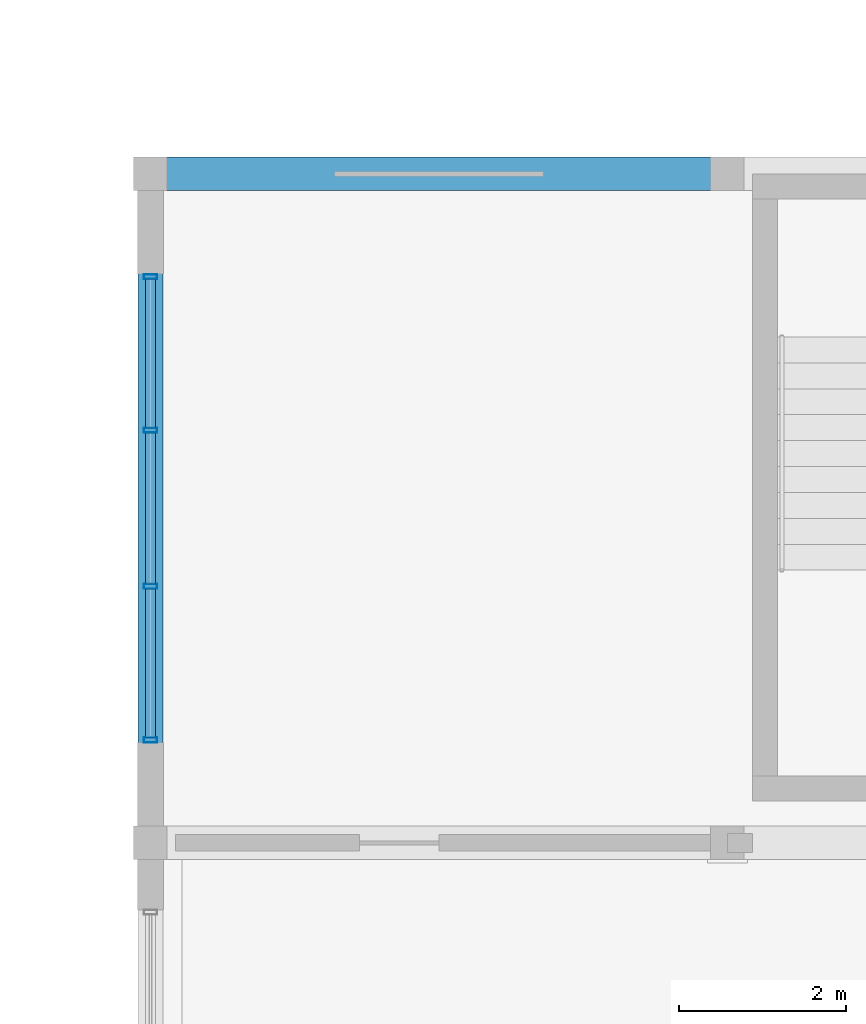
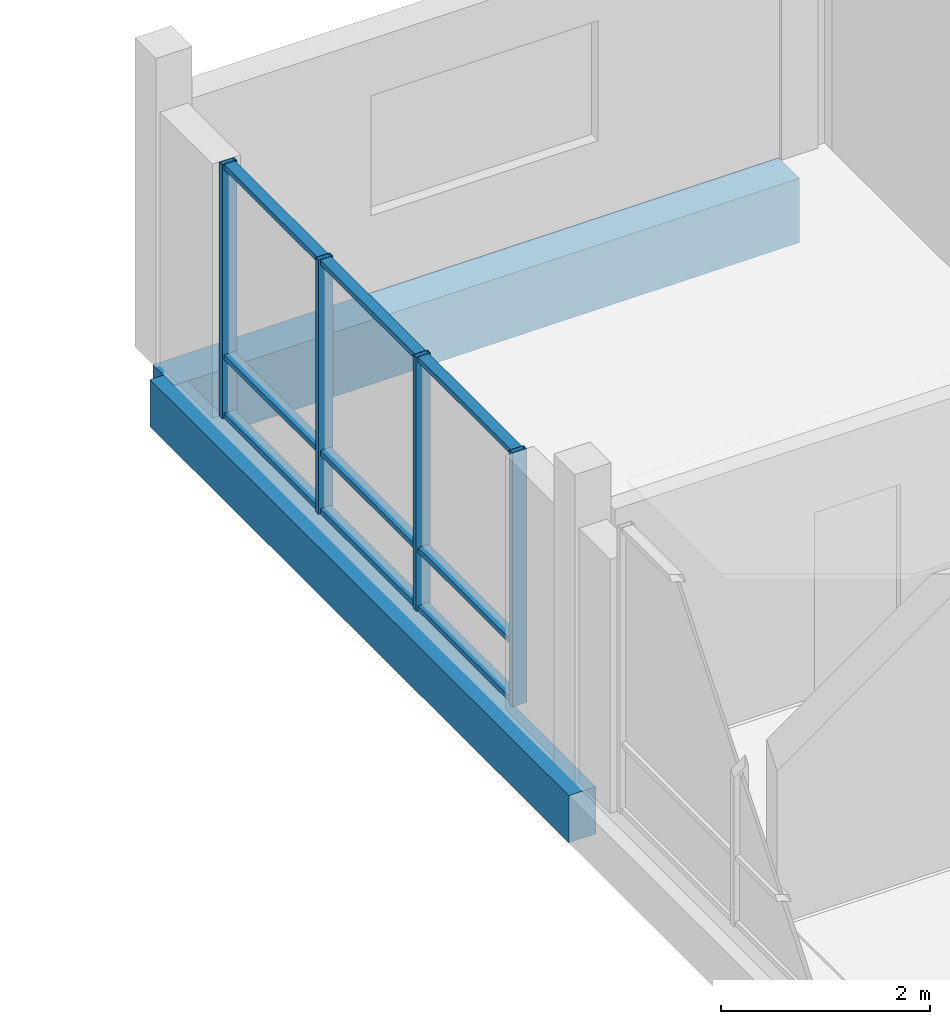
# One storey, part 72 of 189: 13 members, 2 beams, 1 element without a shape of its own.
"""IFC4 building model written with IfcOpenShell, lengths in metres."""

from ifc_helpers import new_model, si_unit, direction, frame, origin, origin_2d, place, context, subcontext, project, spatial, rectangle, hollow_rectangle, extrude, material, material_profile, profile_set, type_object, element, aggregate, save


model = new_model("IFC4")

# Units and contexts
model_context = context("Model", 3, precision=1e-05, world=origin(), true_north=direction((0.0, 1.0)))
body_context = subcontext(model_context, "Body", "Model", "MODEL_VIEW")
ifc_project = project(units=[si_unit("LENGTHUNIT", "METRE"), si_unit("AREAUNIT", "SQUARE_METRE"), si_unit("VOLUMEUNIT", "CUBIC_METRE"), si_unit("PLANEANGLEUNIT", "RADIAN"), si_unit("MASSUNIT", "GRAM", prefix="KILO")], contexts=[model_context])

# Site, building, storey
site_placement = place(None, origin())
site = spatial("IfcSite", under=ifc_project, at=site_placement, CompositionType="ELEMENT")
building_placement = place(site_placement, origin())
building = spatial("IfcBuilding", under=site, at=building_placement, Name="Zavelmont Quarter", CompositionType="ELEMENT")
storey_placement = place(building_placement, frame((0.0, 0.0, 4.39990234375)))
storey = spatial("IfcBuildingStorey", under=building, at=storey_placement, Name="L01", CompositionType="ELEMENT", Elevation=4.39990234375)

# Beams
ifc_material_1 = material(Name="Concrete C35/45", Category="concrete")
ifc_material_profile_1 = material_profile(ifc_material_1, rectangle(XDim=0.300048828125, YDim=0.550048828125, at=origin_2d()), Name="RC300X550")
ifc_profile_set_1 = profile_set([ifc_material_profile_1], Name="Concrete C35/45")
beam_type_1 = type_object("IfcBeamType", Name="BM02", PredefinedType="SPANDREL", material=ifc_profile_set_1)
beam_1_placement = place(storey_placement, frame((0.0, 78.0, -0.554931640625), z_axis=(0.0, 1.0, 0.0), x_axis=(-1.0, 0.0, 0.0)))
element("IfcBeam", 1, at=beam_1_placement, inside=storey, type_object=beam_type_1, Name="L01 beam BM02 1/M to 1/N", PredefinedType="SPANDREL", context=body_context, shape_type="SweptSolid", body=[
    extrude(rectangle(XDim=0.300048828125, YDim=0.550048828125, at=origin_2d()), origin(), (0.0, 0.0, 1.0), 8.0),
])
ifc_material_2 = material(Name="Concrete C40/50", Category="concrete")
ifc_material_profile_2 = material_profile(ifc_material_2, rectangle(XDim=0.39990234375, YDim=0.75, at=origin_2d()), Name="RC400X750")
ifc_profile_set_2 = profile_set([ifc_material_profile_2], Name="Concrete C40/50")
beam_type_2 = type_object("IfcBeamType", Name="BM05", PredefinedType="BEAM", material=ifc_profile_set_2)
beam_2_placement = place(storey_placement, frame((0.0, 86.0, -0.65478515625), z_axis=(1.0, 0.0, 0.0), x_axis=(0.0, 1.0, 0.0)))
element("IfcBeam", 2, at=beam_2_placement, inside=storey, type_object=beam_type_2, Name="L01 beam BM05 1/N to 2/N", PredefinedType="BEAM", context=body_context, shape_type="SweptSolid", body=[
    extrude(rectangle(XDim=0.39990234375, YDim=0.75, at=origin_2d()), origin(), (0.0, 0.0, 1.0), 6.89990234375),
])

# Curtain wall, members
ifc_material_3 = material(Name="Thermally broken aluminium and double low-E safety glazing", Category="aluminium")
curtain_wall_type = type_object("IfcCurtainWallType", Name="CW-560X296", PredefinedType="NOTDEFINED", material=ifc_material_3)
curtain_wall_placement = place(storey_placement, origin())
curtain_wall = element("IfcCurtainWall", 3, at=curtain_wall_placement, inside=storey, type_object=curtain_wall_type, Name="L01 unitised curtain wall CW-560X296", PredefinedType="NOTDEFINED")
ifc_material_4 = material(Name="Powder-coated aluminium EN AW-6063-T6", Category="aluminium")
ifc_material_profile_3 = material_profile(ifc_material_4, hollow_rectangle(XDim=0.06005859375, YDim=0.159912109375, WallThickness=0.00390625, at=origin_2d()), Name="CWM60X160")
ifc_profile_set_3 = profile_set([ifc_material_profile_3], Name="Powder-coated aluminium EN AW-6063-T6")
member_type_1 = type_object("IfcMemberType", Name="CWM01", PredefinedType="MULLION", material=ifc_profile_set_3)
member_1_placement = place(storey_placement, frame((0.0, 79.22998046875, 0.0), z_axis=(0.0, 0.0, 1.0), x_axis=(0.0, 1.0, 0.0)))
member_1 = element("IfcMember", 4, at=member_1_placement, type_object=member_type_1, Name="CW-560X296 mullion 1", PredefinedType="MULLION", context=body_context, shape_type="SweptSolid", body=[
    extrude(hollow_rectangle(XDim=0.06005859375, YDim=0.159912109375, WallThickness=0.00390625, at=origin_2d()), origin(), (0.0, 0.0, 1.0), 2.960205078125),
])
member_2_placement = place(storey_placement, frame((0.0, 81.066650390625, 0.0), z_axis=(0.0, 0.0, 1.0), x_axis=(0.0, 1.0, 0.0)))
member_2 = element("IfcMember", 5, at=member_2_placement, type_object=member_type_1, Name="CW-560X296 mullion 2", PredefinedType="MULLION", context=body_context, shape_type="SweptSolid", body=[
    extrude(hollow_rectangle(XDim=0.06005859375, YDim=0.159912109375, WallThickness=0.00390625, at=origin_2d()), origin(), (0.0, 0.0, 1.0), 2.960205078125),
])
member_3_placement = place(storey_placement, frame((0.0, 82.933349609375, 0.0), z_axis=(0.0, 0.0, 1.0), x_axis=(0.0, 1.0, 0.0)))
member_3 = element("IfcMember", 6, at=member_3_placement, type_object=member_type_1, Name="CW-560X296 mullion 3", PredefinedType="MULLION", context=body_context, shape_type="SweptSolid", body=[
    extrude(hollow_rectangle(XDim=0.06005859375, YDim=0.159912109375, WallThickness=0.00390625, at=origin_2d()), origin(), (0.0, 0.0, 1.0), 2.960205078125),
])
member_4_placement = place(storey_placement, frame((0.0, 84.77001953125, 0.0), z_axis=(0.0, 0.0, 1.0), x_axis=(0.0, 1.0, 0.0)))
member_4 = element("IfcMember", 7, at=member_4_placement, type_object=member_type_1, Name="CW-560X296 mullion 4", PredefinedType="MULLION", context=body_context, shape_type="SweptSolid", body=[
    extrude(hollow_rectangle(XDim=0.06005859375, YDim=0.159912109375, WallThickness=0.00390625, at=origin_2d()), origin(), (0.0, 0.0, 1.0), 2.960205078125),
])
ifc_material_profile_4 = material_profile(ifc_material_4, hollow_rectangle(XDim=0.1201171875, YDim=0.06005859375, WallThickness=0.00390625, at=origin_2d()), Name="CWT60X120")
ifc_profile_set_4 = profile_set([ifc_material_profile_4], Name="Powder-coated aluminium EN AW-6063-T6")
member_type_2 = type_object("IfcMemberType", Name="CWT01", PredefinedType="NOTDEFINED", material=ifc_profile_set_4)
member_5_placement = place(storey_placement, frame((0.0, 79.260009765625, 0.030029296875), z_axis=(0.0, 1.0, 0.0), x_axis=(-1.0, 0.0, 0.0)))
member_5 = element("IfcMember", 8, at=member_5_placement, type_object=member_type_2, Name="CW-560X296 transom 1.1", ObjectType="TRANSOM", PredefinedType="USERDEFINED", context=body_context, shape_type="SweptSolid", body=[
    extrude(hollow_rectangle(XDim=0.1201171875, YDim=0.06005859375, WallThickness=0.00390625, at=origin_2d()), origin(), (0.0, 0.0, 1.0), 1.776611328125),
])
member_6_placement = place(storey_placement, frame((0.0, 79.260009765625, 0.710205078125), z_axis=(0.0, 1.0, 0.0), x_axis=(-1.0, 0.0, 0.0)))
member_6 = element("IfcMember", 9, at=member_6_placement, type_object=member_type_2, Name="CW-560X296 transom 1.2", ObjectType="TRANSOM", PredefinedType="USERDEFINED", context=body_context, shape_type="SweptSolid", body=[
    extrude(hollow_rectangle(XDim=0.1201171875, YDim=0.06005859375, WallThickness=0.00390625, at=origin_2d()), origin(), (0.0, 0.0, 1.0), 1.776611328125),
])
member_7_placement = place(storey_placement, frame((0.0, 79.260009765625, 2.93017578125), z_axis=(0.0, 1.0, 0.0), x_axis=(-1.0, 0.0, 0.0)))
member_7 = element("IfcMember", 10, at=member_7_placement, type_object=member_type_2, Name="CW-560X296 transom 1.3", ObjectType="TRANSOM", PredefinedType="USERDEFINED", context=body_context, shape_type="SweptSolid", body=[
    extrude(hollow_rectangle(XDim=0.1201171875, YDim=0.06005859375, WallThickness=0.00390625, at=origin_2d()), origin(), (0.0, 0.0, 1.0), 1.776611328125),
])
member_8_placement = place(storey_placement, frame((0.0, 81.0966796875, 0.030029296875), z_axis=(0.0, 1.0, 0.0), x_axis=(-1.0, 0.0, 0.0)))
member_8 = element("IfcMember", 11, at=member_8_placement, type_object=member_type_2, Name="CW-560X296 transom 2.1", ObjectType="TRANSOM", PredefinedType="USERDEFINED", context=body_context, shape_type="SweptSolid", body=[
    extrude(hollow_rectangle(XDim=0.1201171875, YDim=0.06005859375, WallThickness=0.00390625, at=origin_2d()), origin(), (0.0, 0.0, 1.0), 1.806640625),
])
member_9_placement = place(storey_placement, frame((0.0, 81.0966796875, 0.710205078125), z_axis=(0.0, 1.0, 0.0), x_axis=(-1.0, 0.0, 0.0)))
member_9 = element("IfcMember", 12, at=member_9_placement, type_object=member_type_2, Name="CW-560X296 transom 2.2", ObjectType="TRANSOM", PredefinedType="USERDEFINED", context=body_context, shape_type="SweptSolid", body=[
    extrude(hollow_rectangle(XDim=0.1201171875, YDim=0.06005859375, WallThickness=0.00390625, at=origin_2d()), origin(), (0.0, 0.0, 1.0), 1.806640625),
])
member_10_placement = place(storey_placement, frame((0.0, 81.0966796875, 2.93017578125), z_axis=(0.0, 1.0, 0.0), x_axis=(-1.0, 0.0, 0.0)))
member_10 = element("IfcMember", 13, at=member_10_placement, type_object=member_type_2, Name="CW-560X296 transom 2.3", ObjectType="TRANSOM", PredefinedType="USERDEFINED", context=body_context, shape_type="SweptSolid", body=[
    extrude(hollow_rectangle(XDim=0.1201171875, YDim=0.06005859375, WallThickness=0.00390625, at=origin_2d()), origin(), (0.0, 0.0, 1.0), 1.806640625),
])
member_11_placement = place(storey_placement, frame((0.0, 82.96337890625, 0.030029296875), z_axis=(0.0, 1.0, 0.0), x_axis=(-1.0, 0.0, 0.0)))
member_11 = element("IfcMember", 14, at=member_11_placement, type_object=member_type_2, Name="CW-560X296 transom 3.1", ObjectType="TRANSOM", PredefinedType="USERDEFINED", context=body_context, shape_type="SweptSolid", body=[
    extrude(hollow_rectangle(XDim=0.1201171875, YDim=0.06005859375, WallThickness=0.00390625, at=origin_2d()), origin(), (0.0, 0.0, 1.0), 1.776611328125),
])
member_12_placement = place(storey_placement, frame((0.0, 82.96337890625, 0.710205078125), z_axis=(0.0, 1.0, 0.0), x_axis=(-1.0, 0.0, 0.0)))
member_12 = element("IfcMember", 15, at=member_12_placement, type_object=member_type_2, Name="CW-560X296 transom 3.2", ObjectType="TRANSOM", PredefinedType="USERDEFINED", context=body_context, shape_type="SweptSolid", body=[
    extrude(hollow_rectangle(XDim=0.1201171875, YDim=0.06005859375, WallThickness=0.00390625, at=origin_2d()), origin(), (0.0, 0.0, 1.0), 1.776611328125),
])
member_13_placement = place(storey_placement, frame((0.0, 82.96337890625, 2.93017578125), z_axis=(0.0, 1.0, 0.0), x_axis=(-1.0, 0.0, 0.0)))
member_13 = element("IfcMember", 16, at=member_13_placement, type_object=member_type_2, Name="CW-560X296 transom 3.3", ObjectType="TRANSOM", PredefinedType="USERDEFINED", context=body_context, shape_type="SweptSolid", body=[
    extrude(hollow_rectangle(XDim=0.1201171875, YDim=0.06005859375, WallThickness=0.00390625, at=origin_2d()), origin(), (0.0, 0.0, 1.0), 1.776611328125),
])
aggregate(curtain_wall, [member_1, member_2, member_3, member_4, member_5, member_6, member_7, member_8, member_9, member_10, member_11, member_12, member_13])

save(model, "model.ifc")
